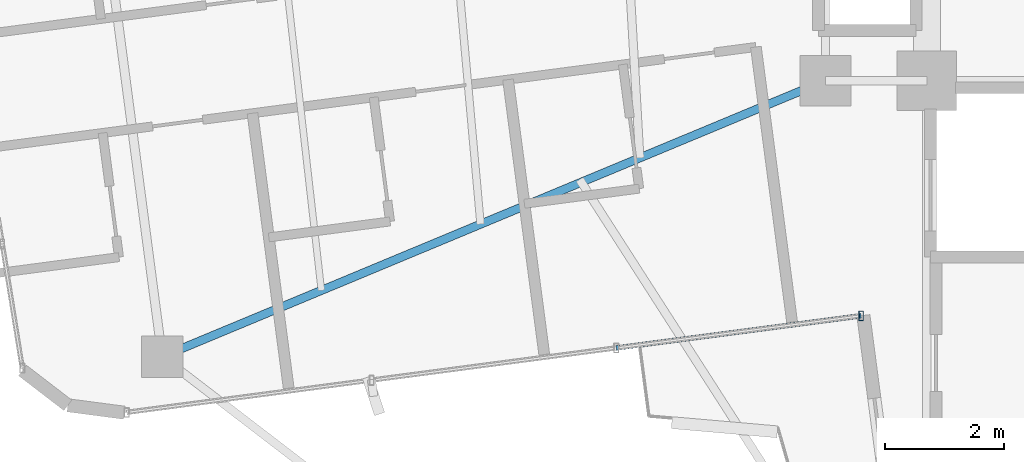
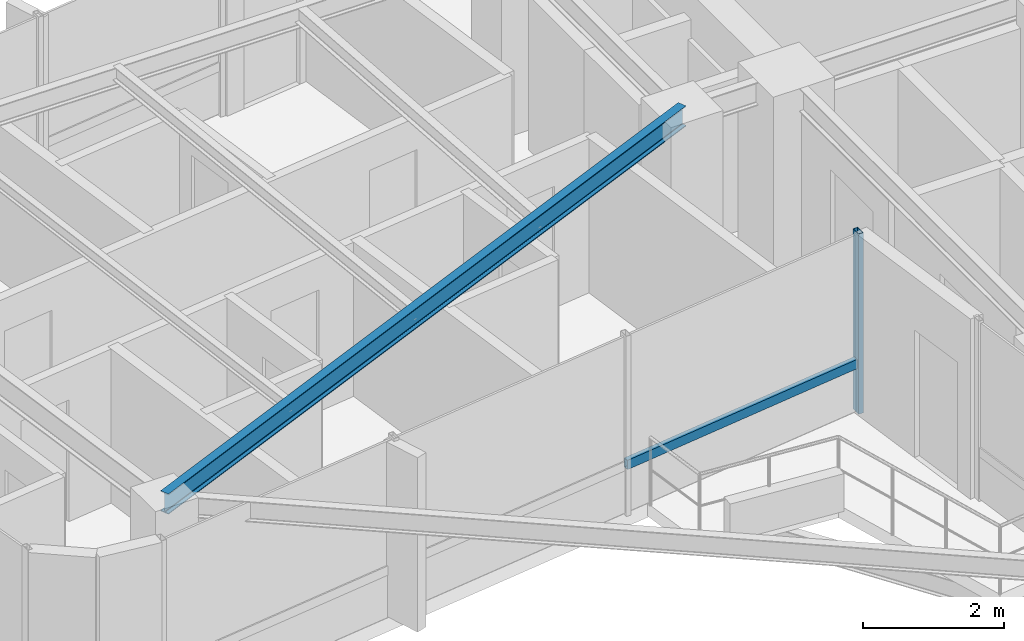
# One storey, part 3 of 22: 2 members, 1 beam, 1 element without a shape of its own.
"""IFC4 building model written with IfcOpenShell, lengths in metres."""

import ifcopenshell
import ifcopenshell.guid

model = None  # the IFC model being written
_history = None  # IfcOwnerHistory: only IFC2X3 demands one
_inside = {}  # id of a spatial element -> (the spatial element, [elements in it])
_under = {}  # id of a project, library or spatial element -> (it, [spatial elements below it])
_declared = {}  # id of a project -> (the project, [libraries it declares])
_typed = {}  # id of a type object -> (the type object, [elements of that type])
_made_of = {}  # id of a material, layer set ... -> (it, [elements and type objects made of it])


def new_model(schema):
    """Start an empty IFC model of exactly this schema.

    Asked for "IFC4X3", IfcOpenShell would pick the latest addendum, in which some entities
    have other attributes; the version numbers below select the first issue.
    IFC2X3 requires an IfcOwnerHistory on every rooted entity: one is made here for all.
    """
    global model, _history
    if schema == "IFC4X3":
        model = ifcopenshell.file(schema_version=(4, 3, 0, 0))
    else:
        model = ifcopenshell.file(schema=schema)
    _inside.clear()
    _under.clear()
    _declared.clear()
    _typed.clear()
    _made_of.clear()
    _history = None
    if model.schema == "IFC2X3":
        org = make("IfcOrganization", Name="unknown")
        user = make(
            "IfcPersonAndOrganization",
            ThePerson=make("IfcPerson", FamilyName="unknown"),
            TheOrganization=org,
        )
        app = make(
            "IfcApplication",
            ApplicationDeveloper=org,
            Version="unknown",
            ApplicationFullName="unknown",
            ApplicationIdentifier="unknown",
        )
        _history = make(
            "IfcOwnerHistory",
            OwningUser=user,
            OwningApplication=app,
            ChangeAction="ADDED",
            CreationDate=0,
        )
    return model


def make(cls, **values):
    """One entity of the class cls with the attributes given. An attribute that is None is left unset."""
    return model.create_entity(
        cls, **{name: value for name, value in values.items() if value is not None}
    )


def rooted(cls, **values):
    """An entity with a GlobalId (a new one), such as an element, a storey or a relation."""
    return make(cls, GlobalId=ifcopenshell.guid.new(), OwnerHistory=_history, **values)


def si_unit(unit_type, name, prefix=None):
    """IfcSIUnit, for example si_unit("LENGTHUNIT", "METRE", prefix="MILLI")."""
    return make("IfcSIUnit", UnitType=unit_type, Prefix=prefix, Name=name)


def assignment(units):
    """IfcUnitAssignment: the units of a project."""
    return None if units is None else make("IfcUnitAssignment", Units=units)


def point(xyz):
    """IfcCartesianPoint."""
    return None if xyz is None else make("IfcCartesianPoint", Coordinates=xyz)


def direction(xyz):
    """IfcDirection."""
    return None if xyz is None else make("IfcDirection", DirectionRatios=xyz)


def frame(location, z_axis=None, x_axis=None):
    """IfcAxis2Placement3D, a coordinate frame: its origin and axes. An axis left out is left unset."""
    return make(
        "IfcAxis2Placement3D",
        Location=point(location),
        Axis=direction(z_axis),
        RefDirection=direction(x_axis),
    )


def frame_2d(location, x_axis=None):
    """IfcAxis2Placement2D, a coordinate frame in the plane: its origin and x axis."""
    return make(
        "IfcAxis2Placement2D", Location=point(location), RefDirection=direction(x_axis)
    )


def origin():
    """The frame at (0, 0, 0) with its axes left unset."""
    return frame((0.0, 0.0, 0.0))


def origin_2d():
    """The frame at (0, 0) in the plane with its x axis left unset."""
    return frame_2d((0.0, 0.0))


def place(relative_to, where):
    """IfcLocalPlacement: puts the frame where relative to a parent placement (None: the world)."""
    return make(
        "IfcLocalPlacement", PlacementRelTo=relative_to, RelativePlacement=where
    )


def context(
    kind, dimensions, precision=None, world=None, true_north=None, identifier=None
):
    """IfcGeometricRepresentationContext, for example the 3D "Model" context."""
    return make(
        "IfcGeometricRepresentationContext",
        ContextIdentifier=identifier,
        ContextType=kind,
        CoordinateSpaceDimension=dimensions,
        Precision=precision,
        WorldCoordinateSystem=world,
        TrueNorth=true_north,
    )


def subcontext(parent, identifier, kind, view, scale=None):
    """IfcGeometricRepresentationSubContext, for example "Body" below "Model"."""
    return make(
        "IfcGeometricRepresentationSubContext",
        ContextIdentifier=identifier,
        ContextType=kind,
        ParentContext=parent,
        TargetScale=scale,
        TargetView=view,
    )


def project(units=None, contexts=None):
    """IfcProject with its units and contexts."""
    return rooted(
        "IfcProject",
        Name="project",
        RepresentationContexts=contexts,
        UnitsInContext=assignment(units),
    )


def spatial(cls, under=None, at=None, **own):
    """A site, building, storey or space (cls), placed at a placement, below another one or the project."""
    s = rooted(cls, ObjectPlacement=at, **own)
    if under is not None:
        _under.setdefault(under.id(), (under, []))[1].append(s)
    return s


def profile(cls, at=None, kind="AREA", **sizes):
    """A parametric profile (cls). Its sizes go by their IFC names, for example OverallWidth=200.0."""
    return make(cls, ProfileType=kind, Position=at, **sizes)


def hollow_rectangle(**sizes):
    """IfcRectangleHollowProfileDef."""
    return profile("IfcRectangleHollowProfileDef", **sizes)


def i_section(**sizes):
    """IfcIShapeProfileDef."""
    return profile("IfcIShapeProfileDef", **sizes)


def extrude(swept, where, along, depth):
    """IfcExtrudedAreaSolid: the profile swept, set in the frame where, extruded along a direction by depth."""
    return make(
        "IfcExtrudedAreaSolid",
        SweptArea=swept,
        Position=where,
        ExtrudedDirection=direction(along),
        Depth=depth,
    )


def shape(context_of_items, identifier, shape_type, items):
    """IfcShapeRepresentation: the items that make up one representation, for example the "Body"."""
    return make(
        "IfcShapeRepresentation",
        ContextOfItems=context_of_items,
        RepresentationIdentifier=identifier,
        RepresentationType=shape_type,
        Items=items,
    )


def source(mapping_origin, context_of_items, identifier, shape_type, items):
    """IfcRepresentationMap: a shape defined once, which mapped items show again and again."""
    return make(
        "IfcRepresentationMap",
        MappingOrigin=mapping_origin,
        MappedRepresentation=shape(context_of_items, identifier, shape_type, items),
    )


def transform(
    local_origin,
    x_axis=None,
    y_axis=None,
    z_axis=None,
    scale=None,
    scale2=None,
    scale3=None,
    uniform=True,
):
    """IfcCartesianTransformationOperator3D, or its non-uniform kind. x_axis, y_axis, z_axis: its Axis1, 2, 3."""
    if uniform:
        return make(
            "IfcCartesianTransformationOperator3D",
            Axis1=direction(x_axis),
            Axis2=direction(y_axis),
            LocalOrigin=point(local_origin),
            Scale=scale,
            Axis3=direction(z_axis),
        )
    return make(
        "IfcCartesianTransformationOperator3DnonUniform",
        Axis1=direction(x_axis),
        Axis2=direction(y_axis),
        LocalOrigin=point(local_origin),
        Scale=scale,
        Axis3=direction(z_axis),
        Scale2=scale2,
        Scale3=scale3,
    )


def mapped(mapping_source, mapping_target):
    """IfcMappedItem: shows the shape of a source again, moved by a transform."""
    return make(
        "IfcMappedItem", MappingSource=mapping_source, MappingTarget=mapping_target
    )


def material(Name=None, Category=None):
    """IfcMaterial."""
    return make("IfcMaterial", Name=Name, Category=Category)


def material_profile(
    of_material, cross_section, Name=None, Category=None, Priority=None
):
    """IfcMaterialProfile: a cross section and its material."""
    return make(
        "IfcMaterialProfile",
        Name=Name,
        Material=of_material,
        Profile=cross_section,
        Priority=Priority,
        Category=Category,
    )


def profile_set(profiles, Name=None, composite=None):
    """IfcMaterialProfileSet."""
    return make(
        "IfcMaterialProfileSet",
        Name=Name,
        MaterialProfiles=profiles,
        CompositeProfile=composite,
    )


def made_of(thing, what):
    """Note that an element or type object is made of a material, layer set ...; save() writes the relation."""
    if what is not None:
        _made_of.setdefault(what.id(), (what, []))[1].append(thing)
    return thing


def type_object(cls, material=None, **own):
    """A type object (cls), such as IfcWallType, which elements share."""
    return made_of(rooted(cls, **own), material)


def element(
    cls,
    number,
    at=None,
    inside=None,
    cuts=None,
    type_object=None,
    material=None,
    context=None,
    identifier="Body",
    shape_type=None,
    held_by="IfcProductDefinitionShape",
    body=None,
    shapes=None,
    **own,
):
    """One element of the class cls, such as IfcWall. Its Tag is "e" and its number.

    at: its placement. inside: the storey or other place that contains it. cuts: it is an
    opening in that element (IfcRelVoidsElement). A single representation is given by context,
    identifier, shape_type and body (its items); several are given by shapes. held_by: the class
    of the entity that holds the representations. save() writes the other relations.
    """
    e = rooted(cls, Tag="e%d" % number, ObjectPlacement=at, **own)
    if body is not None:
        shapes = [shape(context, identifier, shape_type, body)]
    if shapes is not None:
        e.Representation = make(held_by, Representations=shapes)
    if inside is not None:
        _inside.setdefault(inside.id(), (inside, []))[1].append(e)
    if cuts is not None:
        rooted(
            "IfcRelVoidsElement", RelatingBuildingElement=cuts, RelatedOpeningElement=e
        )
    if type_object is not None:
        _typed.setdefault(type_object.id(), (type_object, []))[1].append(e)
    return made_of(e, material)


def aggregate(whole, parts):
    """IfcRelAggregates: a whole, such as a stair, and the parts it consists of."""
    return rooted("IfcRelAggregates", RelatingObject=whole, RelatedObjects=parts)


def save(model, path):
    """Write the relations noted so far, then the file.

    IfcRelAggregates (storeys below a building ...), IfcRelContainedInSpatialStructure (elements
    in a storey), IfcRelDefinesByType, IfcRelAssociatesMaterial and IfcRelDeclares: one each for
    every whole, place, type object, material and project.
    """
    for whole, parts in _under.values():
        aggregate(whole, parts)
    for where, things in _inside.values():
        rooted(
            "IfcRelContainedInSpatialStructure",
            RelatedElements=things,
            RelatingStructure=where,
        )
    for kind, things in _typed.values():
        rooted("IfcRelDefinesByType", RelatedObjects=things, RelatingType=kind)
    for what, things in _made_of.values():
        rooted("IfcRelAssociatesMaterial", RelatedObjects=things, RelatingMaterial=what)
    for by, libraries in _declared.values():
        rooted("IfcRelDeclares", RelatingContext=by, RelatedDefinitions=libraries)
    model.write(path)


model = new_model("IFC4")

# Units and contexts
model_context = context("Model", 3, precision=1e-05, world=origin(), true_north=direction((0.0, 1.0)))
body_context = subcontext(model_context, "Body", "Model", "MODEL_VIEW")
ifc_project = project(units=[si_unit("LENGTHUNIT", "METRE"), si_unit("AREAUNIT", "SQUARE_METRE"), si_unit("VOLUMEUNIT", "CUBIC_METRE"), si_unit("PLANEANGLEUNIT", "RADIAN"), si_unit("MASSUNIT", "GRAM", prefix="KILO")], contexts=[model_context])

# Site, building, storey
site_placement = place(None, origin())
site = spatial("IfcSite", under=ifc_project, at=site_placement, CompositionType="ELEMENT")
building_placement = place(site_placement, origin())
building = spatial("IfcBuilding", under=site, at=building_placement, Name="Sahyath Konkavel Grand Hotel", CompositionType="ELEMENT")
storey_placement = place(building_placement, frame((0.0, 0.0, 206.5)))
storey = spatial("IfcBuildingStorey", under=building, at=storey_placement, Name="L57", CompositionType="ELEMENT", Elevation=206.5)

# Beam
ifc_material_1 = material(Name="Steel E350", Category="steel")
ifc_material_profile_1 = material_profile(ifc_material_1, i_section(OverallWidth=0.139892578125, OverallDepth=0.35009765625, WebThickness=0.008056640625, FlangeThickness=0.01416015625, FilletRadius=0.013916015625, at=origin_2d()), Name="ISMB 350")
ifc_profile_set_1 = profile_set([ifc_material_profile_1], Name="Steel E350")
beam_type = type_object("IfcBeamType", Name="BM-ISMB350", PredefinedType="BEAM", material=ifc_profile_set_1)
shared_shape_1 = source(origin(), body_context, "Body", "SweptSolid", [
    extrude(i_section(OverallWidth=0.139892578125, OverallDepth=0.35009765625, WebThickness=0.008056640625, FlangeThickness=0.01416015625, FilletRadius=0.013916015625, at=origin_2d()), origin(), (0.0, 0.0, 1.0), 12.049560546875),
])
beam_placement = place(storey_placement, frame((-5.5, -2.39990234375, 2.93505859375), z_axis=(-0.923226714744, -0.384255687248, 0.0), x_axis=(0.384255687248, -0.923226714744, 0.0)))
element("IfcBeam", 1, at=beam_placement, inside=storey, type_object=beam_type, Name="L57 Cruciform Radial Girder WB", PredefinedType="BEAM", context=body_context, shape_type="MappedRepresentation", body=[
    mapped(shared_shape_1, transform((0.0, 0.0, 0.0), scale=1.0)),
])

# Curtain wall, members
ifc_material_2 = material(Name="Anodised Bronze Aluminium & Low-E Glazing", Category="aluminium")
curtain_wall_type = type_object("IfcCurtainWallType", Name="CW-ZONE4", PredefinedType="NOTDEFINED", material=ifc_material_2)
curtain_wall_placement = place(storey_placement, origin())
curtain_wall = element("IfcCurtainWall", 2, at=curtain_wall_placement, inside=storey, type_object=curtain_wall_type, Name="L57 Unitised Curtain Wall F23", PredefinedType="NOTDEFINED")
ifc_material_3 = material(Name="Anodised Bronze Aluminium", Category="aluminium")
ifc_material_profile_2 = material_profile(ifc_material_3, hollow_rectangle(XDim=0.080078125, YDim=0.159912109375, WallThickness=0.006103515625, at=origin_2d()), Name="RHS 160x80x6")
ifc_profile_set_2 = profile_set([ifc_material_profile_2], Name="Anodised Bronze Aluminium")
member_type_1 = type_object("IfcMemberType", Name="CW-MUL-160", PredefinedType="MULLION", material=ifc_profile_set_2)
shared_shape_2 = source(origin(), body_context, "Body", "SweptSolid", [
    extrude(hollow_rectangle(XDim=0.080078125, YDim=0.159912109375, WallThickness=0.006103515625, at=origin_2d()), origin(), (0.0, 0.0, 1.0), 3.110107421875),
])
member_1_placement = place(storey_placement, frame((-4.90380859375, -6.34423828125, 0.0), z_axis=(0.0, 0.0, 1.0), x_axis=(1.0, 0.0, 0.0)))
member_1 = element("IfcMember", 3, at=member_1_placement, type_object=member_type_1, Name="L57 Curtain Wall Mullion F23-3", PredefinedType="MULLION", context=body_context, shape_type="MappedRepresentation", body=[
    mapped(shared_shape_2, transform((0.0, 0.0, 0.0), scale=1.0)),
])
ifc_material_profile_3 = material_profile(ifc_material_3, hollow_rectangle(XDim=0.080078125, YDim=0.159912109375, WallThickness=0.006103515625, at=origin_2d()), Name="RHS 160x80x6")
ifc_profile_set_3 = profile_set([ifc_material_profile_3], Name="Anodised Bronze Aluminium")
member_type_2 = type_object("IfcMemberType", Name="CW-TRN-160", PredefinedType="USERDEFINED", material=ifc_profile_set_3)
shared_shape_3 = source(origin(), body_context, "Body", "SweptSolid", [
    extrude(hollow_rectangle(XDim=0.080078125, YDim=0.159912109375, WallThickness=0.006103515625, at=origin_2d()), origin(), (0.0, 0.0, 1.0), 4.14013671875),
])
member_2_placement = place(storey_placement, frame((-9.008544921875, -6.884765625, 0.85009765625), z_axis=(0.99144084268, 0.130556713596, 0.0), x_axis=(-0.130556713596, 0.99144084268, 0.0)))
member_2 = element("IfcMember", 4, at=member_2_placement, type_object=member_type_2, Name="L57 Curtain Wall Transom F23-2-spandrel", ObjectType="TRANSOM", PredefinedType="USERDEFINED", context=body_context, shape_type="MappedRepresentation", body=[
    mapped(shared_shape_3, transform((0.0, 0.0, 0.0), scale=1.0)),
])
aggregate(curtain_wall, [member_1, member_2])

save(model, "model.ifc")
